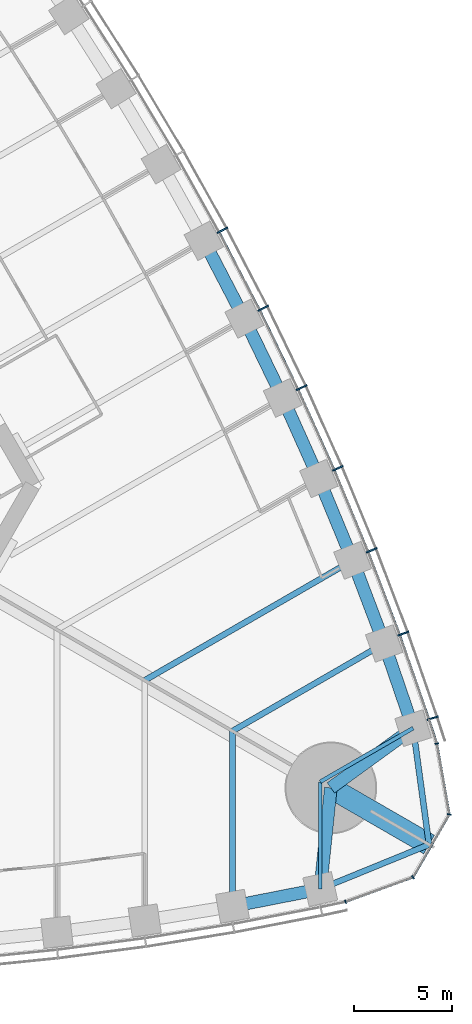
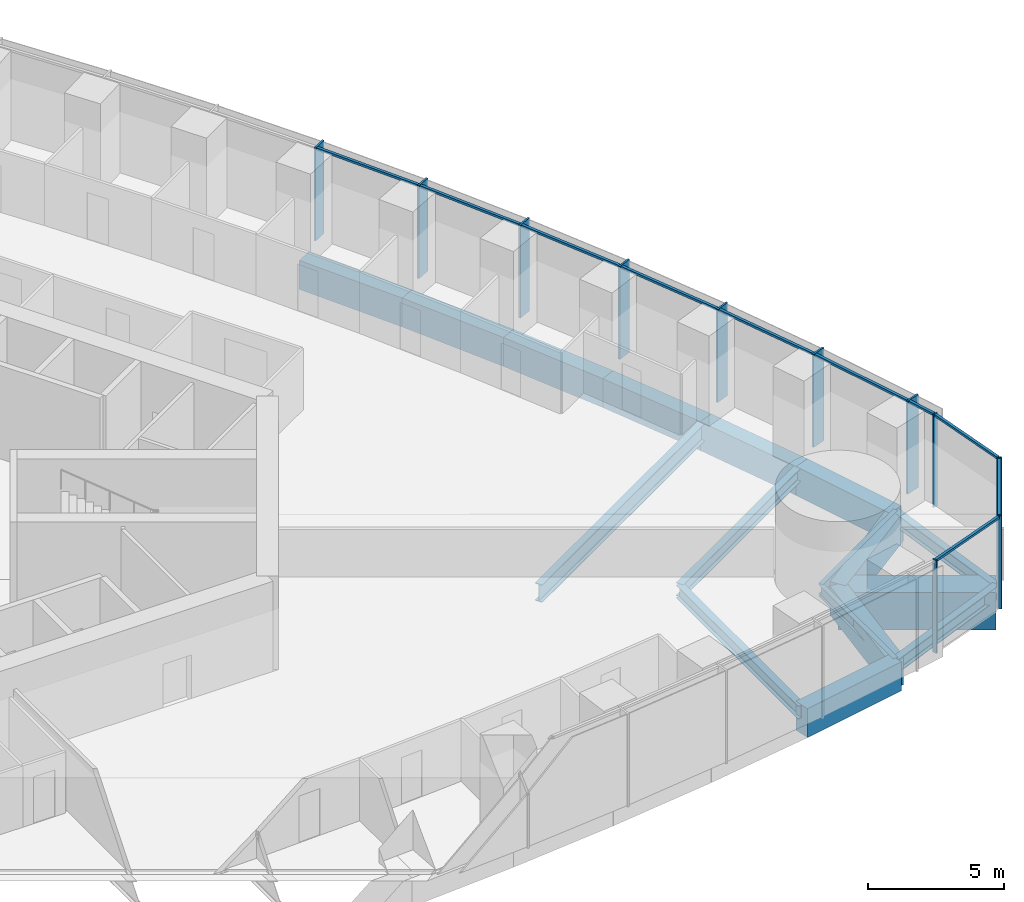
# One storey, part 6 of 19: 21 members, 17 beams, 2 elements without a shape of their own.
"""IFC4 building model written with IfcOpenShell, lengths in metres."""

import ifcopenshell
import ifcopenshell.guid

model = None  # the IFC model being written
_history = None  # IfcOwnerHistory: only IFC2X3 demands one
_inside = {}  # id of a spatial element -> (the spatial element, [elements in it])
_under = {}  # id of a project, library or spatial element -> (it, [spatial elements below it])
_declared = {}  # id of a project -> (the project, [libraries it declares])
_typed = {}  # id of a type object -> (the type object, [elements of that type])
_made_of = {}  # id of a material, layer set ... -> (it, [elements and type objects made of it])


def new_model(schema):
    """Start an empty IFC model of exactly this schema.

    Asked for "IFC4X3", IfcOpenShell would pick the latest addendum, in which some entities
    have other attributes; the version numbers below select the first issue.
    IFC2X3 requires an IfcOwnerHistory on every rooted entity: one is made here for all.
    """
    global model, _history
    if schema == "IFC4X3":
        model = ifcopenshell.file(schema_version=(4, 3, 0, 0))
    else:
        model = ifcopenshell.file(schema=schema)
    _inside.clear()
    _under.clear()
    _declared.clear()
    _typed.clear()
    _made_of.clear()
    _history = None
    if model.schema == "IFC2X3":
        org = make("IfcOrganization", Name="unknown")
        user = make(
            "IfcPersonAndOrganization",
            ThePerson=make("IfcPerson", FamilyName="unknown"),
            TheOrganization=org,
        )
        app = make(
            "IfcApplication",
            ApplicationDeveloper=org,
            Version="unknown",
            ApplicationFullName="unknown",
            ApplicationIdentifier="unknown",
        )
        _history = make(
            "IfcOwnerHistory",
            OwningUser=user,
            OwningApplication=app,
            ChangeAction="ADDED",
            CreationDate=0,
        )
    return model


def make(cls, **values):
    """One entity of the class cls with the attributes given. An attribute that is None is left unset."""
    return model.create_entity(
        cls, **{name: value for name, value in values.items() if value is not None}
    )


def rooted(cls, **values):
    """An entity with a GlobalId (a new one), such as an element, a storey or a relation."""
    return make(cls, GlobalId=ifcopenshell.guid.new(), OwnerHistory=_history, **values)


def si_unit(unit_type, name, prefix=None):
    """IfcSIUnit, for example si_unit("LENGTHUNIT", "METRE", prefix="MILLI")."""
    return make("IfcSIUnit", UnitType=unit_type, Prefix=prefix, Name=name)


def assignment(units):
    """IfcUnitAssignment: the units of a project."""
    return None if units is None else make("IfcUnitAssignment", Units=units)


def point(xyz):
    """IfcCartesianPoint."""
    return None if xyz is None else make("IfcCartesianPoint", Coordinates=xyz)


def direction(xyz):
    """IfcDirection."""
    return None if xyz is None else make("IfcDirection", DirectionRatios=xyz)


def frame(location, z_axis=None, x_axis=None):
    """IfcAxis2Placement3D, a coordinate frame: its origin and axes. An axis left out is left unset."""
    return make(
        "IfcAxis2Placement3D",
        Location=point(location),
        Axis=direction(z_axis),
        RefDirection=direction(x_axis),
    )


def frame_2d(location, x_axis=None):
    """IfcAxis2Placement2D, a coordinate frame in the plane: its origin and x axis."""
    return make(
        "IfcAxis2Placement2D", Location=point(location), RefDirection=direction(x_axis)
    )


def origin():
    """The frame at (0, 0, 0) with its axes left unset."""
    return frame((0.0, 0.0, 0.0))


def origin_2d():
    """The frame at (0, 0) in the plane with its x axis left unset."""
    return frame_2d((0.0, 0.0))


def place(relative_to, where):
    """IfcLocalPlacement: puts the frame where relative to a parent placement (None: the world)."""
    return make(
        "IfcLocalPlacement", PlacementRelTo=relative_to, RelativePlacement=where
    )


def context(
    kind, dimensions, precision=None, world=None, true_north=None, identifier=None
):
    """IfcGeometricRepresentationContext, for example the 3D "Model" context."""
    return make(
        "IfcGeometricRepresentationContext",
        ContextIdentifier=identifier,
        ContextType=kind,
        CoordinateSpaceDimension=dimensions,
        Precision=precision,
        WorldCoordinateSystem=world,
        TrueNorth=true_north,
    )


def subcontext(parent, identifier, kind, view, scale=None):
    """IfcGeometricRepresentationSubContext, for example "Body" below "Model"."""
    return make(
        "IfcGeometricRepresentationSubContext",
        ContextIdentifier=identifier,
        ContextType=kind,
        ParentContext=parent,
        TargetScale=scale,
        TargetView=view,
    )


def project(units=None, contexts=None):
    """IfcProject with its units and contexts."""
    return rooted(
        "IfcProject",
        Name="project",
        RepresentationContexts=contexts,
        UnitsInContext=assignment(units),
    )


def spatial(cls, under=None, at=None, **own):
    """A site, building, storey or space (cls), placed at a placement, below another one or the project."""
    s = rooted(cls, ObjectPlacement=at, **own)
    if under is not None:
        _under.setdefault(under.id(), (under, []))[1].append(s)
    return s


def profile(cls, at=None, kind="AREA", **sizes):
    """A parametric profile (cls). Its sizes go by their IFC names, for example OverallWidth=200.0."""
    return make(cls, ProfileType=kind, Position=at, **sizes)


def rectangle(**sizes):
    """IfcRectangleProfileDef."""
    return profile("IfcRectangleProfileDef", **sizes)


def i_section(**sizes):
    """IfcIShapeProfileDef."""
    return profile("IfcIShapeProfileDef", **sizes)


def extrude(swept, where, along, depth):
    """IfcExtrudedAreaSolid: the profile swept, set in the frame where, extruded along a direction by depth."""
    return make(
        "IfcExtrudedAreaSolid",
        SweptArea=swept,
        Position=where,
        ExtrudedDirection=direction(along),
        Depth=depth,
    )


def shape(context_of_items, identifier, shape_type, items):
    """IfcShapeRepresentation: the items that make up one representation, for example the "Body"."""
    return make(
        "IfcShapeRepresentation",
        ContextOfItems=context_of_items,
        RepresentationIdentifier=identifier,
        RepresentationType=shape_type,
        Items=items,
    )


def material(Name=None, Category=None):
    """IfcMaterial."""
    return make("IfcMaterial", Name=Name, Category=Category)


def material_profile(
    of_material, cross_section, Name=None, Category=None, Priority=None
):
    """IfcMaterialProfile: a cross section and its material."""
    return make(
        "IfcMaterialProfile",
        Name=Name,
        Material=of_material,
        Profile=cross_section,
        Priority=Priority,
        Category=Category,
    )


def profile_set(profiles, Name=None, composite=None):
    """IfcMaterialProfileSet."""
    return make(
        "IfcMaterialProfileSet",
        Name=Name,
        MaterialProfiles=profiles,
        CompositeProfile=composite,
    )


def made_of(thing, what):
    """Note that an element or type object is made of a material, layer set ...; save() writes the relation."""
    if what is not None:
        _made_of.setdefault(what.id(), (what, []))[1].append(thing)
    return thing


def type_object(cls, material=None, **own):
    """A type object (cls), such as IfcWallType, which elements share."""
    return made_of(rooted(cls, **own), material)


def element(
    cls,
    number,
    at=None,
    inside=None,
    cuts=None,
    type_object=None,
    material=None,
    context=None,
    identifier="Body",
    shape_type=None,
    held_by="IfcProductDefinitionShape",
    body=None,
    shapes=None,
    **own,
):
    """One element of the class cls, such as IfcWall. Its Tag is "e" and its number.

    at: its placement. inside: the storey or other place that contains it. cuts: it is an
    opening in that element (IfcRelVoidsElement). A single representation is given by context,
    identifier, shape_type and body (its items); several are given by shapes. held_by: the class
    of the entity that holds the representations. save() writes the other relations.
    """
    e = rooted(cls, Tag="e%d" % number, ObjectPlacement=at, **own)
    if body is not None:
        shapes = [shape(context, identifier, shape_type, body)]
    if shapes is not None:
        e.Representation = make(held_by, Representations=shapes)
    if inside is not None:
        _inside.setdefault(inside.id(), (inside, []))[1].append(e)
    if cuts is not None:
        rooted(
            "IfcRelVoidsElement", RelatingBuildingElement=cuts, RelatedOpeningElement=e
        )
    if type_object is not None:
        _typed.setdefault(type_object.id(), (type_object, []))[1].append(e)
    return made_of(e, material)


def aggregate(whole, parts):
    """IfcRelAggregates: a whole, such as a stair, and the parts it consists of."""
    return rooted("IfcRelAggregates", RelatingObject=whole, RelatedObjects=parts)


def save(model, path):
    """Write the relations noted so far, then the file.

    IfcRelAggregates (storeys below a building ...), IfcRelContainedInSpatialStructure (elements
    in a storey), IfcRelDefinesByType, IfcRelAssociatesMaterial and IfcRelDeclares: one each for
    every whole, place, type object, material and project.
    """
    for whole, parts in _under.values():
        aggregate(whole, parts)
    for where, things in _inside.values():
        rooted(
            "IfcRelContainedInSpatialStructure",
            RelatedElements=things,
            RelatingStructure=where,
        )
    for kind, things in _typed.values():
        rooted("IfcRelDefinesByType", RelatedObjects=things, RelatingType=kind)
    for what, things in _made_of.values():
        rooted("IfcRelAssociatesMaterial", RelatedObjects=things, RelatingMaterial=what)
    for by, libraries in _declared.values():
        rooted("IfcRelDeclares", RelatingContext=by, RelatedDefinitions=libraries)
    model.write(path)


model = new_model("IFC4")

# Units and contexts
model_context = context("Model", 3, precision=1e-05, world=origin(), true_north=direction((0.0, 1.0)))
body_context = subcontext(model_context, "Body", "Model", "MODEL_VIEW")
ifc_project = project(units=[si_unit("LENGTHUNIT", "METRE"), si_unit("AREAUNIT", "SQUARE_METRE"), si_unit("VOLUMEUNIT", "CUBIC_METRE"), si_unit("PLANEANGLEUNIT", "RADIAN"), si_unit("MASSUNIT", "GRAM", prefix="KILO")], contexts=[model_context])

# Site, building, storey
site_placement = place(None, origin())
site = spatial("IfcSite", under=ifc_project, at=site_placement, CompositionType="ELEMENT")
building_placement = place(site_placement, origin())
building = spatial("IfcBuilding", under=site, at=building_placement, Name="Trefoil Bronze Tower", CompositionType="ELEMENT")
storey_placement = place(building_placement, frame((0.0, 0.0, 16.5)))
storey = spatial("IfcBuildingStorey", under=building, at=storey_placement, Name="L03", CompositionType="ELEMENT", Elevation=16.5)

# Curtain wall, members
ifc_material_1 = material(Name="Tinted solar-control glass", Category="glass")
curtain_wall_type_1 = type_object("IfcCurtainWallType", Name="Bronze office curtain wall", PredefinedType="USERDEFINED", material=ifc_material_1)
curtain_wall_1_placement = place(storey_placement, origin())
curtain_wall_1 = element("IfcCurtainWall", 1, at=curtain_wall_1_placement, inside=storey, type_object=curtain_wall_type_1, Name="CW-A L03 F2", ObjectType="CURTAIN WALL", PredefinedType="USERDEFINED")
ifc_material_2 = material(Name="Bronze-finish aluminium", Category="aluminium")
ifc_material_profile_1 = material_profile(ifc_material_2, rectangle(XDim=0.60009765625, YDim=0.080078125, at=origin_2d()), Name="CW-A mullion")
ifc_profile_set_1 = profile_set([ifc_material_profile_1], Name="Bronze-finish aluminium")
member_type_1 = type_object("IfcMemberType", Name="Bronze office curtain wall mullion", PredefinedType="MULLION", material=ifc_profile_set_1)
member_1_placement = place(storey_placement, frame((37.265869140625, -14.92626953125, 0.0), z_axis=(0.0, 0.0, 1.0), x_axis=(-0.947850592929, -0.318715003543, 0.0)))
member_1 = element("IfcMember", 2, at=member_1_placement, type_object=member_type_1, Name="CW-A L03 F2 mullion 2", PredefinedType="MULLION", context=body_context, shape_type="SweptSolid", body=[
    extrude(rectangle(XDim=0.60009765625, YDim=0.080078125, at=origin_2d()), origin(), (0.0, 0.0, 1.0), 4.179931640625),
])
member_2_placement = place(storey_placement, frame((35.761962890625, -10.590087890625, 0.0), z_axis=(0.0, 0.0, 1.0), x_axis=(-0.939860248316, -0.341559238839, 0.0)))
member_2 = element("IfcMember", 3, at=member_2_placement, type_object=member_type_1, Name="CW-A L03 F2 mullion 3", PredefinedType="MULLION", context=body_context, shape_type="SweptSolid", body=[
    extrude(rectangle(XDim=0.60009765625, YDim=0.080078125, at=origin_2d()), origin(), (0.0, 0.0, 1.0), 4.179931640625),
])
member_3_placement = place(storey_placement, frame((34.138916015625, -6.32080078125, 0.0), z_axis=(0.0, 0.0, 1.0), x_axis=(-0.929413605838, -0.369039766534, 0.0)))
member_3 = element("IfcMember", 4, at=member_3_placement, type_object=member_type_1, Name="CW-A L03 F2 mullion 4", PredefinedType="MULLION", context=body_context, shape_type="SweptSolid", body=[
    extrude(rectangle(XDim=0.60009765625, YDim=0.080078125, at=origin_2d()), origin(), (0.0, 0.0, 1.0), 4.179931640625),
])
member_4_placement = place(storey_placement, frame((32.39892578125, -2.119384765625, 0.0), z_axis=(0.0, 0.0, 1.0), x_axis=(-0.918213748442, -0.396085233469, 0.0)))
member_4 = element("IfcMember", 5, at=member_4_placement, type_object=member_type_1, Name="CW-A L03 F2 mullion 5", PredefinedType="MULLION", context=body_context, shape_type="SweptSolid", body=[
    extrude(rectangle(XDim=0.60009765625, YDim=0.080078125, at=origin_2d()), origin(), (0.0, 0.0, 1.0), 4.179931640625),
])
member_5_placement = place(storey_placement, frame((30.543212890625, 2.015380859375, 0.0), z_axis=(0.0, 0.0, 1.0), x_axis=(-0.906269346572, -0.422700687798, 0.0)))
member_5 = element("IfcMember", 6, at=member_5_placement, type_object=member_type_1, Name="CW-A L03 F2 mullion 6", PredefinedType="MULLION", context=body_context, shape_type="SweptSolid", body=[
    extrude(rectangle(XDim=0.60009765625, YDim=0.080078125, at=origin_2d()), origin(), (0.0, 0.0, 1.0), 4.179931640625),
])
member_6_placement = place(storey_placement, frame((28.57275390625, 6.084228515625, 0.0), z_axis=(0.0, 0.0, 1.0), x_axis=(-0.893587025891, -0.448889994497, 0.0)))
member_6 = element("IfcMember", 7, at=member_6_placement, type_object=member_type_1, Name="CW-A L03 F2 mullion 7", PredefinedType="MULLION", context=body_context, shape_type="SweptSolid", body=[
    extrude(rectangle(XDim=0.60009765625, YDim=0.080078125, at=origin_2d()), origin(), (0.0, 0.0, 1.0), 4.179931640625),
])
member_7_placement = place(storey_placement, frame((26.488525390625, 10.0869140625, 0.0), z_axis=(0.0, 0.0, 1.0), x_axis=(-0.880171454588, -0.474655886437, 0.0)))
member_7 = element("IfcMember", 8, at=member_7_placement, type_object=member_type_1, Name="CW-A L03 F2 mullion 8", PredefinedType="MULLION", context=body_context, shape_type="SweptSolid", body=[
    extrude(rectangle(XDim=0.60009765625, YDim=0.080078125, at=origin_2d()), origin(), (0.0, 0.0, 1.0), 4.179931640625),
])
ifc_material_3 = material(Name="Bronze-finish aluminium", Category="aluminium")
ifc_material_profile_2 = material_profile(ifc_material_3, rectangle(XDim=0.1201171875, YDim=0.10009765625, at=origin_2d()), Name="CW-A transom")
ifc_profile_set_2 = profile_set([ifc_material_profile_2], Name="Bronze-finish aluminium")
member_type_2 = type_object("IfcMemberType", Name="Bronze office curtain wall transom", PredefinedType="USERDEFINED", material=ifc_profile_set_2)
member_8_placement = place(storey_placement, frame((37.4638671875, -16.1796875, 4.1298828125), z_axis=(-0.309624219148, 0.950859002648, 0.0), x_axis=(-0.950859002648, -0.309624219148, 0.0)))
member_8 = element("IfcMember", 9, at=member_8_placement, type_object=member_type_2, Name="CW-A L03 F2 transom 1", ObjectType="TRANSOM", PredefinedType="USERDEFINED", context=body_context, shape_type="SweptSolid", body=[
    extrude(rectangle(XDim=0.1201171875, YDim=0.10009765625, at=origin_2d()), origin(), (0.0, 0.0, 1.0), 1.21044921875),
])
member_9_placement = place(storey_placement, frame((37.06298828125, -14.951171875, 4.1298828125), z_axis=(-0.327689728493, 0.944785394595, 0.0), x_axis=(-0.944785394595, -0.327689728493, 0.0)))
member_9 = element("IfcMember", 10, at=member_9_placement, type_object=member_type_2, Name="CW-A L03 F2 transom 2", ObjectType="TRANSOM", PredefinedType="USERDEFINED", context=body_context, shape_type="SweptSolid", body=[
    extrude(rectangle(XDim=0.1201171875, YDim=0.10009765625, at=origin_2d()), origin(), (0.0, 0.0, 1.0), 4.502197265625),
])
member_10_placement = place(storey_placement, frame((35.559326171875, -10.61962890625, 4.1298828125), z_axis=(-0.355367327392, 0.934726731522, 0.0), x_axis=(-0.934726731522, -0.355367327392, 0.0)))
member_10 = element("IfcMember", 11, at=member_10_placement, type_object=member_type_2, Name="CW-A L03 F2 transom 3", ObjectType="TRANSOM", PredefinedType="USERDEFINED", context=body_context, shape_type="SweptSolid", body=[
    extrude(rectangle(XDim=0.1201171875, YDim=0.10009765625, at=origin_2d()), origin(), (0.0, 0.0, 1.0), 4.478515625),
])
member_11_placement = place(storey_placement, frame((33.937255859375, -6.3564453125, 4.1298828125), z_axis=(-0.382616149417, 0.923907399151, 0.0), x_axis=(-0.923907399151, -0.382616149417, 0.0)))
member_11 = element("IfcMember", 12, at=member_11_placement, type_object=member_type_2, Name="CW-A L03 F2 transom 4", ObjectType="TRANSOM", PredefinedType="USERDEFINED", context=body_context, shape_type="SweptSolid", body=[
    extrude(rectangle(XDim=0.1201171875, YDim=0.10009765625, at=origin_2d()), origin(), (0.0, 0.0, 1.0), 4.458984375),
])
member_12_placement = place(storey_placement, frame((32.1982421875, -2.16064453125, 4.1298828125), z_axis=(-0.409459746452, 0.912328184392, 0.0), x_axis=(-0.912328184392, -0.409459746452, 0.0)))
member_12 = element("IfcMember", 13, at=member_12_placement, type_object=member_type_2, Name="CW-A L03 F2 transom 5", ObjectType="TRANSOM", PredefinedType="USERDEFINED", context=body_context, shape_type="SweptSolid", body=[
    extrude(rectangle(XDim=0.1201171875, YDim=0.10009765625, at=origin_2d()), origin(), (0.0, 0.0, 1.0), 4.443359375),
])
member_13_placement = place(storey_placement, frame((30.34375, 1.96826171875, 4.1298828125), z_axis=(-0.435851763293, 0.900018466719, 0.0), x_axis=(-0.900018466719, -0.435851763293, 0.0)))
member_13 = element("IfcMember", 14, at=member_13_placement, type_object=member_type_2, Name="CW-A L03 F2 transom 6", ObjectType="TRANSOM", PredefinedType="USERDEFINED", context=body_context, shape_type="SweptSolid", body=[
    extrude(rectangle(XDim=0.1201171875, YDim=0.10009765625, at=origin_2d()), origin(), (0.0, 0.0, 1.0), 4.431884765625),
])
member_14_placement = place(storey_placement, frame((28.375, 6.031005859375, 4.1298828125), z_axis=(-0.461809621225, 0.886979071762, 0.0), x_axis=(-0.886979071762, -0.461809621225, 0.0)))
member_14 = element("IfcMember", 15, at=member_14_placement, type_object=member_type_2, Name="CW-A L03 F2 transom 7", ObjectType="TRANSOM", PredefinedType="USERDEFINED", context=body_context, shape_type="SweptSolid", body=[
    extrude(rectangle(XDim=0.1201171875, YDim=0.10009765625, at=origin_2d()), origin(), (0.0, 0.0, 1.0), 4.42431640625),
])
aggregate(curtain_wall_1, [member_1, member_2, member_3, member_4, member_5, member_6, member_7, member_8, member_9, member_10, member_11, member_12, member_13, member_14])

ifc_material_4 = material(Name="Tinted solar-control glass", Category="glass")
curtain_wall_type_2 = type_object("IfcCurtainWallType", Name="Bronze rounded corner curtain wall", PredefinedType="USERDEFINED", material=ifc_material_4)
curtain_wall_2_placement = place(storey_placement, origin())
curtain_wall_2 = element("IfcCurtainWall", 16, at=curtain_wall_2_placement, inside=storey, type_object=curtain_wall_type_2, Name="CW-B L03 K1", ObjectType="CURTAIN WALL", PredefinedType="USERDEFINED")
ifc_material_5 = material(Name="Bronze-finish aluminium", Category="aluminium")
ifc_material_profile_3 = material_profile(ifc_material_5, rectangle(XDim=0.199951171875, YDim=0.06005859375, at=origin_2d()), Name="CW-B mullion")
ifc_profile_set_3 = profile_set([ifc_material_profile_3], Name="Bronze-finish aluminium")
member_type_3 = type_object("IfcMemberType", Name="Bronze rounded corner curtain wall mullion", PredefinedType="MULLION", material=ifc_profile_set_3)
member_15_placement = place(storey_placement, frame((32.796630859375, -24.3427734375, 0.0), z_axis=(0.0, 0.0, 1.0), x_axis=(-0.342020143326, 0.939692620786, 0.0)))
member_15 = element("IfcMember", 17, at=member_15_placement, type_object=member_type_3, Name="CW-B L03 K1 mullion 1", PredefinedType="MULLION", context=body_context, shape_type="SweptSolid", body=[
    extrude(rectangle(XDim=0.199951171875, YDim=0.06005859375, at=origin_2d()), origin(), (0.0, 0.0, 1.0), 4.179931640625),
])
member_16_placement = place(storey_placement, frame((36.2548828125, -23.07763671875, 0.0), z_axis=(0.0, 0.0, 1.0), x_axis=(-0.642787609687, 0.766044443119, 0.0)))
member_16 = element("IfcMember", 18, at=member_16_placement, type_object=member_type_3, Name="CW-B L03 K1 mullion 2", PredefinedType="MULLION", context=body_context, shape_type="SweptSolid", body=[
    extrude(rectangle(XDim=0.199951171875, YDim=0.06005859375, at=origin_2d()), origin(), (0.0, 0.0, 1.0), 4.179931640625),
])
member_17_placement = place(storey_placement, frame((38.11328125, -19.85888671875, 0.0), z_axis=(0.0, 0.0, 1.0), x_axis=(-0.984807753012, 0.173648177667, 0.0)))
member_17 = element("IfcMember", 19, at=member_17_placement, type_object=member_type_3, Name="CW-B L03 K1 mullion 3", PredefinedType="MULLION", context=body_context, shape_type="SweptSolid", body=[
    extrude(rectangle(XDim=0.199951171875, YDim=0.06005859375, at=origin_2d()), origin(), (0.0, 0.0, 1.0), 4.179931640625),
])
member_18_placement = place(storey_placement, frame((37.479736328125, -16.2314453125, 0.0), z_axis=(0.0, 0.0, 1.0), x_axis=(-0.984807753012, -0.173648177667, 0.0)))
member_18 = element("IfcMember", 20, at=member_18_placement, type_object=member_type_3, Name="CW-B L03 K1 mullion 4", PredefinedType="MULLION", context=body_context, shape_type="SweptSolid", body=[
    extrude(rectangle(XDim=0.199951171875, YDim=0.06005859375, at=origin_2d()), origin(), (0.0, 0.0, 1.0), 4.179931640625),
])
ifc_material_6 = material(Name="Bronze-finish aluminium", Category="aluminium")
ifc_material_profile_4 = material_profile(ifc_material_6, rectangle(XDim=0.1201171875, YDim=0.10009765625, at=origin_2d()), Name="CW-B transom")
ifc_profile_set_4 = profile_set([ifc_material_profile_4], Name="Bronze-finish aluminium")
member_type_4 = type_object("IfcMemberType", Name="Bronze rounded corner curtain wall transom", PredefinedType="USERDEFINED", material=ifc_profile_set_4)
member_19_placement = place(storey_placement, frame((32.82470703125, -24.33251953125, 4.1298828125), z_axis=(0.939688092095, 0.342032585545, 0.0), x_axis=(-0.342032585545, 0.939688092095, 0.0)))
member_19 = element("IfcMember", 21, at=member_19_placement, type_object=member_type_4, Name="CW-B L03 K1 transom 1", ObjectType="TRANSOM", PredefinedType="USERDEFINED", context=body_context, shape_type="SweptSolid", body=[
    extrude(rectangle(XDim=0.1201171875, YDim=0.10009765625, at=origin_2d()), origin(), (0.0, 0.0, 1.0), 3.588134765625),
])
member_20_placement = place(storey_placement, frame((36.292236328125, -23.02490234375, 4.1298828125), z_axis=(0.500024788772, 0.866011091507, 0.0), x_axis=(-0.866011091507, 0.500024788772, 0.0)))
member_20 = element("IfcMember", 22, at=member_20_placement, type_object=member_type_4, Name="CW-B L03 K1 transom 2", ObjectType="TRANSOM", PredefinedType="USERDEFINED", context=body_context, shape_type="SweptSolid", body=[
    extrude(rectangle(XDim=0.1201171875, YDim=0.10009765625, at=origin_2d()), origin(), (0.0, 0.0, 1.0), 3.588134765625),
])
member_21_placement = place(storey_placement, frame((38.10791015625, -19.794677734375, 4.1298828125), z_axis=(-0.17363783606, 0.984809576461, 0.0), x_axis=(-0.984809576461, -0.17363783606, 0.0)))
member_21 = element("IfcMember", 23, at=member_21_placement, type_object=member_type_4, Name="CW-B L03 K1 transom 3", ObjectType="TRANSOM", PredefinedType="USERDEFINED", context=body_context, shape_type="SweptSolid", body=[
    extrude(rectangle(XDim=0.1201171875, YDim=0.10009765625, at=origin_2d()), origin(), (0.0, 0.0, 1.0), 3.588134765625),
])
aggregate(curtain_wall_2, [member_15, member_16, member_17, member_18, member_19, member_20, member_21])

# Beams
ifc_material_7 = material(Name="Concrete B80", Category="concrete")
ifc_material_profile_5 = material_profile(ifc_material_7, rectangle(XDim=1.10009765625, YDim=1.699951171875, at=origin_2d()), Name="RC 1100x1700")
ifc_profile_set_5 = profile_set([ifc_material_profile_5], Name="Concrete B80")
beam_type_1 = type_object("IfcBeamType", Name="Corner cantilever RC 1100x1700", PredefinedType="BEAM", material=ifc_profile_set_5)
beam_1_placement = place(storey_placement, frame((32.04296875, -18.5, -1.050048828125), z_axis=(0.866030348588, -0.499991435252, 0.0), x_axis=(0.499991435252, 0.866030348588, 0.0)))
element("IfcBeam", 24, at=beam_1_placement, inside=storey, type_object=beam_type_1, Name="Corner cantilever K1 L03", PredefinedType="BEAM", context=body_context, shape_type="SweptSolid", body=[
    extrude(rectangle(XDim=1.10009765625, YDim=1.699951171875, at=origin_2d()), origin(), (0.0, 0.0, 1.0), 5.81396484375),
])
ifc_material_8 = material(Name="Steel C355", Category="steel")
ifc_material_profile_6 = material_profile(ifc_material_8, i_section(OverallWidth=0.300048828125, OverallDepth=0.60009765625, WebThickness=0.015380859375, FlangeThickness=0.030029296875, FilletRadius=0.027099609375, at=origin_2d()), Name="HEB 600")
ifc_profile_set_6 = profile_set([ifc_material_profile_6], Name="Steel C355")
beam_type_2 = type_object("IfcBeamType", Name="Corner edge beam HEB 600", PredefinedType="BEAM", material=ifc_profile_set_6)
beam_2_placement = place(storey_placement, frame((31.5, -23.684814453125, -0.5), z_axis=(0.925786874353, 0.378045848114, 0.0), x_axis=(-0.378045848114, 0.925786874353, 0.0)))
element("IfcBeam", 25, at=beam_2_placement, inside=storey, type_object=beam_type_2, Name="Corner edge beam F1A L03", PredefinedType="BEAM", context=body_context, shape_type="SweptSolid", body=[
    extrude(i_section(OverallWidth=0.300048828125, OverallDepth=0.60009765625, WebThickness=0.015380859375, FlangeThickness=0.030029296875, FilletRadius=0.027099609375, at=origin_2d()), origin(), (0.0, 0.0, 1.0), 6.025390625),
])
beam_3_placement = place(storey_placement, frame((36.26171875, -15.4375, -0.5), z_axis=(0.13550196505, -0.990777077585, 0.0), x_axis=(0.990777077585, 0.13550196505, 0.0)))
element("IfcBeam", 26, at=beam_3_placement, inside=storey, type_object=beam_type_2, Name="Corner edge beam F2B L03", PredefinedType="BEAM", context=body_context, shape_type="SweptSolid", body=[
    extrude(i_section(OverallWidth=0.300048828125, OverallDepth=0.60009765625, WebThickness=0.015380859375, FlangeThickness=0.030029296875, FilletRadius=0.027099609375, at=origin_2d()), origin(), (0.0, 0.0, 1.0), 6.025146484375),
])
ifc_material_9 = material(Name="Concrete B80", Category="concrete")
ifc_material_profile_7 = material_profile(ifc_material_9, rectangle(XDim=0.64990234375, YDim=1.300048828125, at=origin_2d()), Name="RC 650x1300")
ifc_profile_set_7 = profile_set([ifc_material_profile_7], Name="Concrete B80")
beam_type_3 = type_object("IfcBeamType", Name="End spandrel beam RC 650x1300", PredefinedType="SPANDREL", material=ifc_profile_set_7)
for number, where, z_axis, x_axis, name in (
    (27, (31.5, -23.684814453125, -0.85009765625), (0.104153327908, 0.994561252154, 0.0), (-0.994561252154, 0.104153327908, 0.0), "Spandrel F1.16 L03"),
    (28, (32.04296875, -18.5, -0.85009765625), (0.809254211267, 0.587458612624, 0.0), (-0.587458612624, 0.809254211267, 0.0), "Spandrel F2.1 L03"),
):
    element("IfcBeam", number, at=place(storey_placement, frame(where, z_axis=z_axis, x_axis=x_axis)), inside=storey, type_object=beam_type_3, Name=name, PredefinedType="SPANDREL", context=body_context, shape_type="SweptSolid", body=[
        extrude(rectangle(XDim=0.64990234375, YDim=1.300048828125, at=origin_2d()), origin(), (0.0, 0.0, 1.0), 5.213134765625),
    ])
ifc_material_10 = material(Name="Steel C355", Category="steel")
ifc_material_profile_8 = material_profile(ifc_material_10, i_section(OverallWidth=0.300048828125, OverallDepth=0.590087890625, WebThickness=0.012939453125, FlangeThickness=0.02490234375, FilletRadius=0.027099609375, at=origin_2d()), Name="HEA 600")
ifc_profile_set_8 = profile_set([ifc_material_profile_8], Name="Steel C355")
beam_type_4 = type_object("IfcBeamType", Name="Floor beam HEA 600", PredefinedType="BEAM", material=ifc_profile_set_8)
for number, where, z_axis, x_axis, name in (
    (29, (27.0, -24.56787109375, -0.4951171875), (0.0, 1.0, 0.0), (-1.0, 0.0, 0.0), "Floor beam F1/+6 L03"),
    (30, (34.7763671875, -11.0986328125, -0.4951171875), (-0.866022587327, -0.500004878216, 0.0), (0.500004878216, -0.866022587327, 0.0), "Floor beam F2/-6 L03"),
):
    element("IfcBeam", number, at=place(storey_placement, frame(where, z_axis=z_axis, x_axis=x_axis)), inside=storey, type_object=beam_type_4, Name=name, PredefinedType="BEAM", context=body_context, shape_type="SweptSolid", body=[
        extrude(i_section(OverallWidth=0.300048828125, OverallDepth=0.590087890625, WebThickness=0.012939453125, FlangeThickness=0.02490234375, FilletRadius=0.027099609375, at=origin_2d()), origin(), (0.0, 0.0, 1.0), 8.9794921875),
    ])
ifc_material_11 = material(Name="Steel C355", Category="steel")
ifc_material_profile_9 = material_profile(ifc_material_11, i_section(OverallWidth=0.300048828125, OverallDepth=0.800048828125, WebThickness=0.017578125, FlangeThickness=0.032958984375, FilletRadius=0.030029296875, at=origin_2d()), Name="HEB 800")
ifc_profile_set_9 = profile_set([ifc_material_profile_9], Name="Steel C355")
beam_type_5 = type_object("IfcBeamType", Name="Floor beam HEB 800", PredefinedType="BEAM", material=ifc_profile_set_9)
beam_4_placement = place(storey_placement, frame((33.159912109375, -6.8359375, -0.60009765625), z_axis=(-0.866024070878, -0.500002308654, 0.0), x_axis=(0.500002308654, -0.866024070878, 0.0)))
element("IfcBeam", 31, at=beam_4_placement, inside=storey, type_object=beam_type_5, Name="Floor beam F2/-5 L03", PredefinedType="BEAM", context=body_context, shape_type="SweptSolid", body=[
    extrude(i_section(OverallWidth=0.300048828125, OverallDepth=0.800048828125, WebThickness=0.017578125, FlangeThickness=0.032958984375, FilletRadius=0.030029296875, at=origin_2d()), origin(), (0.0, 0.0, 1.0), 12.30908203125),
])
ifc_material_12 = material(Name="Steel C355", Category="steel")
ifc_material_profile_10 = material_profile(ifc_material_12, i_section(OverallWidth=0.199951171875, OverallDepth=0.5, WebThickness=0.01025390625, FlangeThickness=0.01611328125, FilletRadius=0.02099609375, at=origin_2d()), Name="IPE 500")
ifc_profile_set_10 = profile_set([ifc_material_profile_10], Name="Steel C355")
beam_type_6 = type_object("IfcBeamType", Name="Floor beam IPE 500", PredefinedType="BEAM", material=ifc_profile_set_10)
for number, where, z_axis, x_axis, name in (
    (32, (31.5, -23.684814453125, -0.449951171875), (0.0, 1.0, 0.0), (-1.0, 0.0, 0.0), "Floor beam F1/+7 L03"),
    (33, (36.26171875, -15.4375, -0.449951171875), (-0.866037702141, -0.499978698016, 0.0), (0.499978698016, -0.866037702141, 0.0), "Floor beam F2/-7 L03"),
):
    element("IfcBeam", number, at=place(storey_placement, frame(where, z_axis=z_axis, x_axis=x_axis)), inside=storey, type_object=beam_type_6, Name=name, PredefinedType="BEAM", context=body_context, shape_type="SweptSolid", body=[
        extrude(i_section(OverallWidth=0.199951171875, OverallDepth=0.5, WebThickness=0.01025390625, FlangeThickness=0.01611328125, FilletRadius=0.02099609375, at=origin_2d()), origin(), (0.0, 0.0, 1.0), 5.498291015625),
    ])
ifc_material_13 = material(Name="Concrete B80", Category="concrete")
ifc_material_profile_11 = material_profile(ifc_material_13, rectangle(XDim=0.64990234375, YDim=1.300048828125, at=origin_2d()), Name="RC 650x1300")
ifc_profile_set_11 = profile_set([ifc_material_profile_11], Name="Concrete B80")
beam_type_7 = type_object("IfcBeamType", Name="Spandrel beam RC 650x1300", PredefinedType="SPANDREL", material=ifc_profile_set_11)
beam_5_placement = place(storey_placement, frame((27.0, -24.56787109375, -0.85009765625), z_axis=(0.981284764092, 0.192562228283, 0.0), x_axis=(-0.192562228283, 0.981284764092, 0.0)))
element("IfcBeam", 34, at=beam_5_placement, inside=storey, type_object=beam_type_7, Name="Spandrel F1.15 L03", PredefinedType="SPANDREL", context=body_context, shape_type="SweptSolid", body=[
    extrude(rectangle(XDim=0.64990234375, YDim=1.300048828125, at=origin_2d()), origin(), (0.0, 0.0, 1.0), 4.5859375),
])
beam_6_placement = place(storey_placement, frame((36.26171875, -15.4375, -0.85009765625), z_axis=(-0.323883319148, 0.946097032855, 0.0), x_axis=(-0.946097032855, -0.323883319148, 0.0)))
element("IfcBeam", 35, at=beam_6_placement, inside=storey, type_object=beam_type_7, Name="Spandrel F2.2 L03", PredefinedType="SPANDREL", context=body_context, shape_type="SweptSolid", body=[
    extrude(rectangle(XDim=0.64990234375, YDim=1.300048828125, at=origin_2d()), origin(), (0.0, 0.0, 1.0), 4.586181640625),
])
beam_7_placement = place(storey_placement, frame((34.7763671875, -11.0986328125, -0.85009765625), z_axis=(-0.354571899767, 0.935028752443, 0.0), x_axis=(-0.935028752443, -0.354571899767, 0.0)))
element("IfcBeam", 36, at=beam_7_placement, inside=storey, type_object=beam_type_7, Name="Spandrel F2.3 L03", PredefinedType="SPANDREL", context=body_context, shape_type="SweptSolid", body=[
    extrude(rectangle(XDim=0.64990234375, YDim=1.300048828125, at=origin_2d()), origin(), (0.0, 0.0, 1.0), 4.558837890625),
])
beam_8_placement = place(storey_placement, frame((33.159912109375, -6.8359375, -0.85009765625), z_axis=(-0.382020825144, 0.924153715113, 0.0), x_axis=(-0.924153715113, -0.382020825144, 0.0)))
element("IfcBeam", 37, at=beam_8_placement, inside=storey, type_object=beam_type_7, Name="Spandrel F2.4 L03", PredefinedType="SPANDREL", context=body_context, shape_type="SweptSolid", body=[
    extrude(rectangle(XDim=0.64990234375, YDim=1.300048828125, at=origin_2d()), origin(), (0.0, 0.0, 1.0), 4.539306640625),
])
beam_9_placement = place(storey_placement, frame((31.42578125, -2.640869140625, -0.85009765625), z_axis=(-0.408945873044, 0.912558640812, 0.0), x_axis=(-0.912558640812, -0.408945873044, 0.0)))
element("IfcBeam", 38, at=beam_9_placement, inside=storey, type_object=beam_type_7, Name="Spandrel F2.5 L03", PredefinedType="SPANDREL", context=body_context, shape_type="SweptSolid", body=[
    extrude(rectangle(XDim=0.64990234375, YDim=1.300048828125, at=origin_2d()), origin(), (0.0, 0.0, 1.0), 4.5234375),
])
beam_10_placement = place(storey_placement, frame((29.575927734375, 1.487060546875, -0.85009765625), z_axis=(-0.435510013583, 0.900183885697, 0.0), x_axis=(-0.900183885697, -0.435510013583, 0.0)))
element("IfcBeam", 39, at=beam_10_placement, inside=storey, type_object=beam_type_7, Name="Spandrel F2.6 L03", PredefinedType="SPANDREL", context=body_context, shape_type="SweptSolid", body=[
    extrude(rectangle(XDim=0.64990234375, YDim=1.300048828125, at=origin_2d()), origin(), (0.0, 0.0, 1.0), 4.51220703125),
])
beam_11_placement = place(storey_placement, frame((27.61083984375, 5.548828125, -0.85009765625), z_axis=(-0.461637716615, 0.887068553495, 0.0), x_axis=(-0.887068553495, -0.461637716615, 0.0)))
element("IfcBeam", 40, at=beam_11_placement, inside=storey, type_object=beam_type_7, Name="Spandrel F2.7 L03", PredefinedType="SPANDREL", context=body_context, shape_type="SweptSolid", body=[
    extrude(rectangle(XDim=0.64990234375, YDim=1.300048828125, at=origin_2d()), origin(), (0.0, 0.0, 1.0), 4.50439453125),
])

save(model, "model.ifc")
